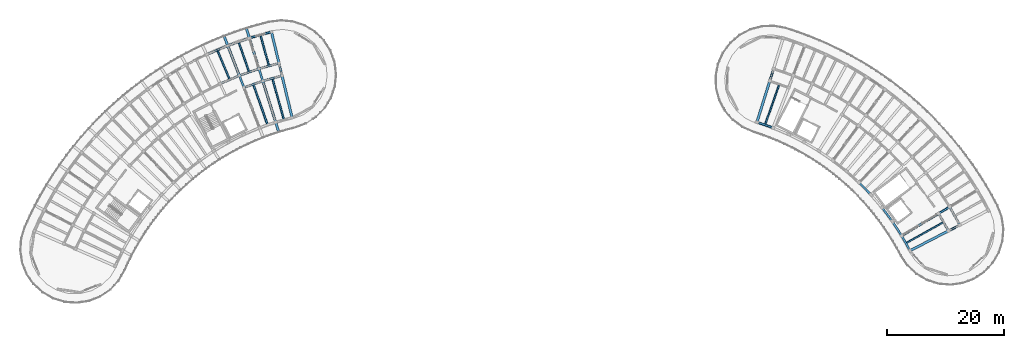
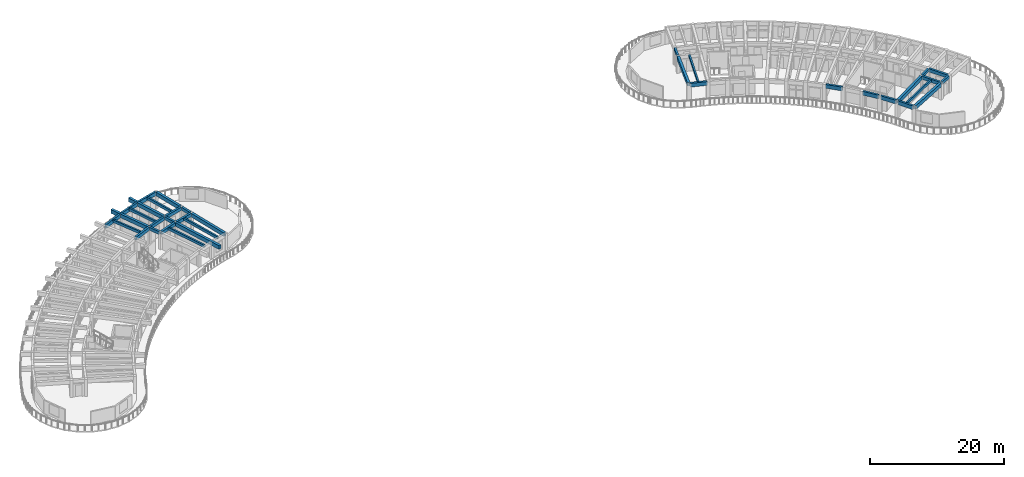
# One storey, part 8 of 32: 36 beams.
"""IFC4 building model written with IfcOpenShell, lengths in metres."""

from ifc_helpers import new_model, si_unit, direction, frame, origin, origin_2d, place, context, subcontext, project, spatial, rectangle, extrude, material, material_profile, profile_set, type_object, element, save


model = new_model("IFC4")

# Units and contexts
model_context = context("Model", 3, precision=1e-05, world=origin(), true_north=direction((0.0, 1.0)))
body_context = subcontext(model_context, "Body", "Model", "MODEL_VIEW")
ifc_project = project(units=[si_unit("LENGTHUNIT", "METRE"), si_unit("AREAUNIT", "SQUARE_METRE"), si_unit("VOLUMEUNIT", "CUBIC_METRE"), si_unit("PLANEANGLEUNIT", "RADIAN"), si_unit("MASSUNIT", "GRAM", prefix="KILO")], contexts=[model_context])

# Site, building, storey
site_placement = place(None, origin())
site = spatial("IfcSite", under=ifc_project, at=site_placement, CompositionType="ELEMENT")
building_placement = place(site_placement, origin())
building = spatial("IfcBuilding", under=site, at=building_placement, Name="Tanwirah Colonnade Gardens", CompositionType="ELEMENT")
storey_placement = place(building_placement, frame((0.0, 0.0, 42.43994140625)))
storey = spatial("IfcBuildingStorey", under=building, at=storey_placement, Name="L12", CompositionType="ELEMENT", Elevation=42.43994140625)

# Beams
ifc_material_1 = material(Name="Precast concrete C40/50", Category="concrete")
ifc_material_profile_1 = material_profile(ifc_material_1, rectangle(XDim=0.320068359375, YDim=0.52001953125, at=origin_2d()), Name="PC-BM 320x520")
ifc_profile_set_1 = profile_set([ifc_material_profile_1], Name="Precast concrete C40/50")
beam_type_1 = type_object("IfcBeamType", Name="BM-PC320", PredefinedType="BEAM", material=ifc_profile_set_1)
beam_1_placement = place(storey_placement, frame((167.194091796875, 84.07666015625, 2.840087890625), z_axis=(0.888385730697, 0.459097803844, 0.0), x_axis=(-0.459097803844, 0.888385730697, 0.0)))
element("IfcBeam", 1, at=beam_1_placement, inside=storey, type_object=beam_type_1, Name="Block B L12 Corridor Tie Beam 3", PredefinedType="BEAM", context=body_context, shape_type="SweptSolid", body=[
    extrude(rectangle(XDim=0.320068359375, YDim=0.52001953125, at=origin_2d()), origin(), (0.0, 0.0, 1.0), 1.900146484375),
])
for number, where, z_axis, x_axis, name in (
    (2, (165.520751953125, 87.068359375, 2.840087890625), (0.856174920318, 0.516686080534, 0.0), (-0.516686080534, 0.856174920318, 0.0), "Block B L12 Corridor Tie Beam 4"),
    (3, (136.492431640625, 109.838623046875, 2.840087890625), (0.297857918398, 0.954610213882, 0.0), (-0.954610213882, 0.297857918398, 0.0), "Block B L12 Corridor Tie Beam 15"),
):
    element("IfcBeam", number, at=place(storey_placement, frame(where, z_axis=z_axis, x_axis=x_axis)), inside=storey, type_object=beam_type_1, Name=name, PredefinedType="BEAM", context=body_context, shape_type="SweptSolid", body=[
        extrude(rectangle(XDim=0.320068359375, YDim=0.52001953125, at=origin_2d()), origin(), (0.0, 0.0, 1.0), 1.89990234375),
    ])
ifc_material_profile_2 = material_profile(ifc_material_1, rectangle(XDim=0.35009765625, YDim=0.550048828125, at=origin_2d()), Name="PC-BM 350x550")
ifc_profile_set_2 = profile_set([ifc_material_profile_2], Name="Precast concrete C40/50")
beam_type_2 = type_object("IfcBeamType", Name="BM-PC350A", PredefinedType="BEAM", material=ifc_profile_set_2)
beam_2_placement = place(storey_placement, frame((52.811767578125, 110.75146484375, 2.844970703125), z_axis=(-0.234364199778, 0.972148868159, 0.0), x_axis=(-0.972148868159, -0.234364199778, 0.0)))
element("IfcBeam", 4, at=beam_2_placement, inside=storey, type_object=beam_type_2, Name="Block A L12 Corridor Tie Beam 2", PredefinedType="BEAM", context=body_context, shape_type="SweptSolid", body=[
    extrude(rectangle(XDim=0.35009765625, YDim=0.550048828125, at=origin_2d()), origin(), (0.0, 0.0, 1.0), 1.900146484375),
])
for number, where, z_axis, x_axis, name in (
    (5, (49.507568359375, 109.838623046875, 2.844970703125), (-0.297857918398, 0.954610213882, 0.0), (-0.954610213882, -0.297857918398, 0.0), "Block A L12 Corridor Tie Beam 3"),
    (6, (46.270751953125, 108.7099609375, 2.844970703125), (-0.360175656082, 0.932884503444, 0.0), (-0.932884503444, -0.360175656082, 0.0), "Block A L12 Corridor Tie Beam 4"),
):
    element("IfcBeam", number, at=place(storey_placement, frame(where, z_axis=z_axis, x_axis=x_axis)), inside=storey, type_object=beam_type_2, Name=name, PredefinedType="BEAM", context=body_context, shape_type="SweptSolid", body=[
        extrude(rectangle(XDim=0.35009765625, YDim=0.550048828125, at=origin_2d()), origin(), (0.0, 0.0, 1.0), 1.89990234375),
    ])
ifc_material_profile_3 = material_profile(ifc_material_1, rectangle(XDim=0.35009765625, YDim=0.60009765625, at=origin_2d()), Name="PC-BM 350x600")
ifc_profile_set_3 = profile_set([ifc_material_profile_3], Name="Precast concrete C40/50")
beam_type_3 = type_object("IfcBeamType", Name="BM-PC350B", PredefinedType="BEAM", material=ifc_profile_set_3)
beam_3_placement = place(storey_placement, frame((52.702392578125, 110.565673828125, 2.820068359375), z_axis=(-0.963894965188, -0.266282737114, 0.0), x_axis=(0.266282737114, -0.963894965188, 0.0)))
element("IfcBeam", 7, at=beam_3_placement, inside=storey, type_object=beam_type_3, Name="Block A L12 Circumferential Beam 2-R1", PredefinedType="BEAM", context=body_context, shape_type="SweptSolid", body=[
    extrude(rectangle(XDim=0.35009765625, YDim=0.60009765625, at=origin_2d()), origin(), (0.0, 0.0, 1.0), 3.1181640625),
])
beam_4_placement = place(storey_placement, frame((52.186767578125, 112.704345703125, 2.820068359375), z_axis=(-0.9638953302, -0.266281415833, 0.0), x_axis=(0.266281415833, -0.9638953302, 0.0)))
element("IfcBeam", 8, at=beam_4_placement, inside=storey, type_object=beam_type_3, Name="Block A L12 Circumferential Beam 2-R2", PredefinedType="BEAM", context=body_context, shape_type="SweptSolid", body=[
    extrude(rectangle(XDim=0.35009765625, YDim=0.60009765625, at=origin_2d()), origin(), (0.0, 0.0, 1.0), 3.26318359375),
])
beam_5_placement = place(storey_placement, frame((49.41064453125, 109.64599609375, 2.820068359375), z_axis=(-0.944248304077, -0.329234172358, 0.0), x_axis=(0.329234172358, -0.944248304077, 0.0)))
element("IfcBeam", 9, at=beam_5_placement, inside=storey, type_object=beam_type_3, Name="Block A L12 Circumferential Beam 3-R1", PredefinedType="BEAM", context=body_context, shape_type="SweptSolid", body=[
    extrude(rectangle(XDim=0.35009765625, YDim=0.60009765625, at=origin_2d()), origin(), (0.0, 0.0, 1.0), 3.1181640625),
])
for number, where, z_axis, x_axis, name in (
    (10, (48.755126953125, 111.74609375, 2.820068359375), (-0.944231021702, -0.329283734272, 0.0), (0.329283734272, -0.944231021702, 0.0), "Block A L12 Circumferential Beam 3-R2"),
    (11, (45.394287109375, 110.563720703125, 2.820068359375), (-0.920513294115, -0.390711242938, 0.0), (0.390711242938, -0.920513294115, 0.0), "Block A L12 Circumferential Beam 4-R2"),
):
    element("IfcBeam", number, at=place(storey_placement, frame(where, z_axis=z_axis, x_axis=x_axis)), inside=storey, type_object=beam_type_3, Name=name, PredefinedType="BEAM", context=body_context, shape_type="SweptSolid", body=[
        extrude(rectangle(XDim=0.35009765625, YDim=0.60009765625, at=origin_2d()), origin(), (0.0, 0.0, 1.0), 3.262939453125),
    ])
beam_6_placement = place(storey_placement, frame((166.98779296875, 84.138671875, 2.800048828125), z_axis=(-0.488200372352, 0.872731571811, 0.0), x_axis=(-0.872731571811, -0.488200372352, 0.0)))
element("IfcBeam", 12, at=beam_6_placement, inside=storey, type_object=beam_type_3, Name="Block B L12 Circumferential Beam 3-R1", PredefinedType="BEAM", context=body_context, shape_type="SweptSolid", body=[
    extrude(rectangle(XDim=0.35009765625, YDim=0.60009765625, at=origin_2d()), origin(), (0.0, 0.0, 1.0), 3.117919921875),
])
beam_7_placement = place(storey_placement, frame((168.942138671875, 85.14892578125, 2.800048828125), z_axis=(-0.488213717102, 0.87272410671, 0.0), x_axis=(-0.87272410671, -0.488213717102, 0.0)))
element("IfcBeam", 13, at=beam_7_placement, inside=storey, type_object=beam_type_3, Name="Block B L12 Circumferential Beam 3-R2", PredefinedType="BEAM", context=body_context, shape_type="SweptSolid", body=[
    extrude(rectangle(XDim=0.35009765625, YDim=0.60009765625, at=origin_2d()), origin(), (0.0, 0.0, 1.0), 3.262939453125),
])
ifc_material_2 = material(Name="Precast concrete C45/55", Category="concrete")
ifc_material_profile_4 = material_profile(ifc_material_2, rectangle(XDim=0.419921875, YDim=0.679931640625, at=origin_2d()), Name="PC-BM 420x680")
ifc_profile_set_4 = profile_set([ifc_material_profile_4], Name="Precast concrete C45/55")
beam_type_4 = type_object("IfcBeamType", Name="BM-PC420", PredefinedType="BEAM", material=ifc_profile_set_4)
beam_8_placement = place(storey_placement, frame((52.882080078125, 110.459716796875, 2.780029296875), z_axis=(0.23441195378, -0.972137354454, 0.0), x_axis=(0.972137354454, 0.23441195378, 0.0)))
element("IfcBeam", 14, at=beam_8_placement, inside=storey, type_object=beam_type_4, Name="Block A L12 Inner Radial Precast Girder 2", PredefinedType="BEAM", context=body_context, shape_type="SweptSolid", body=[
    extrude(rectangle(XDim=0.419921875, YDim=0.679931640625, at=origin_2d()), origin(), (0.0, 0.0, 1.0), 7.099853515625),
])
beam_9_placement = place(storey_placement, frame((52.296142578125, 112.89013671875, 2.780029296875), z_axis=(-0.234374333708, 0.97214642503, 0.0), x_axis=(-0.97214642503, -0.234374333708, 0.0)))
element("IfcBeam", 15, at=beam_9_placement, inside=storey, type_object=beam_type_4, Name="Block A L12 Outer Radial Precast Girder 2", PredefinedType="BEAM", context=body_context, shape_type="SweptSolid", body=[
    extrude(rectangle(XDim=0.419921875, YDim=0.679931640625, at=origin_2d()), origin(), (0.0, 0.0, 1.0), 5.199951171875),
])
beam_10_placement = place(storey_placement, frame((49.596923828125, 109.55224609375, 2.780029296875), z_axis=(0.29792861283, -0.9545881529, 0.0), x_axis=(0.9545881529, 0.29792861283, 0.0)))
element("IfcBeam", 16, at=beam_10_placement, inside=storey, type_object=beam_type_4, Name="Block A L12 Inner Radial Precast Girder 3", PredefinedType="BEAM", context=body_context, shape_type="SweptSolid", body=[
    extrude(rectangle(XDim=0.419921875, YDim=0.679931640625, at=origin_2d()), origin(), (0.0, 0.0, 1.0), 8.9501953125),
])
for number, where, z_axis, x_axis, name in (
    (17, (48.852294921875, 111.938720703125, 2.780029296875), (-0.297957513373, 0.954579132511, 0.0), (-0.954579132511, -0.297957513373, 0.0), "Block A L12 Outer Radial Precast Girder 3"),
    (18, (45.478271484375, 110.76220703125, 2.780029296875), (-0.360150678391, 0.932894146651, 0.0), (-0.932894146651, -0.360150678391, 0.0), "Block A L12 Outer Radial Precast Girder 4"),
):
    element("IfcBeam", number, at=place(storey_placement, frame(where, z_axis=z_axis, x_axis=x_axis)), inside=storey, type_object=beam_type_4, Name=name, PredefinedType="BEAM", context=body_context, shape_type="SweptSolid", body=[
        extrude(rectangle(XDim=0.419921875, YDim=0.679931640625, at=origin_2d()), origin(), (0.0, 0.0, 1.0), 7.050048828125),
    ])
for number, where, z_axis, x_axis, name in (
    (19, (166.927734375, 83.93896484375, 2.760009765625), (-0.888342925962, -0.459180624475, 0.0), (0.459180624475, -0.888342925962, 0.0), "Block B L12 Inner Radial Precast Girder 3"),
    (20, (165.263916015625, 86.913330078125, 2.760009765625), (-0.856176383701, -0.516683655628, 0.0), (0.516683655628, -0.856176383701, 0.0), "Block B L12 Inner Radial Precast Girder 4"),
    (21, (136.403076171875, 109.55224609375, 2.760009765625), (-0.297951921971, -0.954580877765, 0.0), (0.954580877765, -0.297951921971, 0.0), "Block B L12 Inner Radial Precast Girder 15"),
):
    element("IfcBeam", number, at=place(storey_placement, frame(where, z_axis=z_axis, x_axis=x_axis)), inside=storey, type_object=beam_type_4, Name=name, PredefinedType="BEAM", context=body_context, shape_type="SweptSolid", body=[
        extrude(rectangle(XDim=0.419921875, YDim=0.679931640625, at=origin_2d()), origin(), (0.0, 0.0, 1.0), 7.10009765625),
    ])
ifc_material_profile_5 = material_profile(ifc_material_1, rectangle(XDim=0.260009765625, YDim=0.4599609375, at=origin_2d()), Name="PC-JST 260x460")
ifc_profile_set_5 = profile_set([ifc_material_profile_5], Name="Precast concrete C40/50")
beam_type_5 = type_object("IfcBeamType", Name="JST-PC260", PredefinedType="JOIST", material=ifc_profile_set_5)
beam_11_placement = place(storey_placement, frame((159.897705078125, 81.958984375, 2.8701171875), z_axis=(0.872726875563, 0.488208767506, 0.0), x_axis=(-0.488208767506, 0.872726875563, 0.0)))
element("IfcBeam", 22, at=beam_11_placement, inside=storey, type_object=beam_type_5, Name="Block B L12 Inner Precast Floor Joist 3", PredefinedType="JOIST", context=body_context, shape_type="SweptSolid", body=[
    extrude(rectangle(XDim=0.260009765625, YDim=0.4599609375, at=origin_2d()), origin(), (0.0, 0.0, 1.0), 7.16015625),
])
beam_12_placement = place(storey_placement, frame((135.673828125, 102.28515625, 2.8701171875), z_axis=(0.329250558112, 0.944242590642, 0.0), x_axis=(-0.944242590642, 0.329250558112, 0.0)))
element("IfcBeam", 23, at=beam_12_placement, inside=storey, type_object=beam_type_5, Name="Block B L12 Inner Precast Floor Joist 14", PredefinedType="JOIST", context=body_context, shape_type="SweptSolid", body=[
    extrude(rectangle(XDim=0.260009765625, YDim=0.4599609375, at=origin_2d()), origin(), (0.0, 0.0, 1.0), 7.159912109375),
])
ifc_material_profile_6 = material_profile(ifc_material_1, rectangle(XDim=0.280029296875, YDim=0.47998046875, at=origin_2d()), Name="PC-JST 280x480")
ifc_profile_set_6 = profile_set([ifc_material_profile_6], Name="Precast concrete C40/50")
beam_type_6 = type_object("IfcBeamType", Name="JST-PC280", PredefinedType="JOIST", material=ifc_profile_set_6)
beam_13_placement = place(storey_placement, frame((50.57421875, 112.413818359375, 2.880126953125), z_axis=(-0.266281476085, 0.963895313555, 0.0), x_axis=(-0.963895313555, -0.266281476085, 0.0)))
element("IfcBeam", 24, at=beam_13_placement, inside=storey, type_object=beam_type_6, Name="Block A L12 Precast Floor Joist 2", PredefinedType="JOIST", context=body_context, shape_type="SweptSolid", body=[
    extrude(rectangle(XDim=0.280029296875, YDim=0.47998046875, at=origin_2d()), origin(), (0.0, 0.0, 1.0), 5.260009765625),
])
beam_14_placement = place(storey_placement, frame((53.130859375, 103.16064453125, 2.880126953125), z_axis=(-0.266307034535, 0.963888252526, 0.0), x_axis=(-0.963888252526, -0.266307034535, 0.0)))
element("IfcBeam", 25, at=beam_14_placement, inside=storey, type_object=beam_type_6, Name="Block A L12 Inner Precast Floor Joist 2", PredefinedType="JOIST", context=body_context, shape_type="SweptSolid", body=[
    extrude(rectangle(XDim=0.280029296875, YDim=0.47998046875, at=origin_2d()), origin(), (0.0, 0.0, 1.0), 7.159912109375),
])
beam_15_placement = place(storey_placement, frame((47.16552734375, 111.349853515625, 2.880126953125), z_axis=(-0.3292586038, 0.944239785131, 0.0), x_axis=(-0.944239785131, -0.3292586038, 0.0)))
element("IfcBeam", 26, at=beam_15_placement, inside=storey, type_object=beam_type_6, Name="Block A L12 Precast Floor Joist 3", PredefinedType="JOIST", context=body_context, shape_type="SweptSolid", body=[
    extrude(rectangle(XDim=0.280029296875, YDim=0.47998046875, at=origin_2d()), origin(), (0.0, 0.0, 1.0), 5.260009765625),
])
beam_16_placement = place(storey_placement, frame((50.326171875, 102.28515625, 2.880126953125), z_axis=(-0.329250558112, 0.944242590642, 0.0), x_axis=(-0.944242590642, -0.329250558112, 0.0)))
element("IfcBeam", 27, at=beam_16_placement, inside=storey, type_object=beam_type_6, Name="Block A L12 Inner Precast Floor Joist 3", PredefinedType="JOIST", context=body_context, shape_type="SweptSolid", body=[
    extrude(rectangle(XDim=0.280029296875, YDim=0.47998046875, at=origin_2d()), origin(), (0.0, 0.0, 1.0), 7.159912109375),
])
beam_17_placement = place(storey_placement, frame((43.833984375, 110.063720703125, 2.880126953125), z_axis=(-0.390723870106, 0.92050793442, 0.0), x_axis=(-0.92050793442, -0.390723870106, 0.0)))
element("IfcBeam", 28, at=beam_17_placement, inside=storey, type_object=beam_type_6, Name="Block A L12 Precast Floor Joist 4", PredefinedType="JOIST", context=body_context, shape_type="SweptSolid", body=[
    extrude(rectangle(XDim=0.280029296875, YDim=0.47998046875, at=origin_2d()), origin(), (0.0, 0.0, 1.0), 5.260009765625),
])
ifc_material_profile_7 = material_profile(ifc_material_1, rectangle(XDim=0.3349609375, YDim=0.695068359375, at=origin_2d()), Name="PC-SP 335x695")
ifc_profile_set_7 = profile_set([ifc_material_profile_7], Name="Precast concrete C40/50")
beam_type_7 = type_object("IfcBeamType", Name="SP-PC300", PredefinedType="SPANDREL", material=ifc_profile_set_7)
beam_18_placement = place(storey_placement, frame((160.413818359375, 80.740966796875, 2.75244140625), z_axis=(-0.488170837957, 0.872748092503, 0.0), x_axis=(-0.872748092503, -0.488170837957, 0.0)))
element("IfcBeam", 29, at=beam_18_placement, inside=storey, type_object=beam_type_7, Name="Block B L12 Circumferential Beam 3-R0", PredefinedType="SPANDREL", context=body_context, shape_type="SweptSolid", body=[
    extrude(rectangle(XDim=0.3349609375, YDim=0.695068359375, at=origin_2d()), origin(), (0.0, 0.0, 1.0), 2.630126953125),
])
for number, where, z_axis, x_axis, name in (
    (30, (158.974853515625, 83.29296875, 2.75244140625), (-0.544570677829, 0.838714955661, 0.0), (-0.838714955661, -0.544570677829, 0.0), "Block B L12 Circumferential Beam 4-R0"),
    (31, (157.370849609375, 85.744873046875, 2.75244140625), (-0.598662613551, 0.80100129534, 0.0), (-0.80100129534, -0.598662613551, 0.0), "Block B L12 Circumferential Beam 5-R0"),
):
    element("IfcBeam", number, at=place(storey_placement, frame(where, z_axis=z_axis, x_axis=x_axis)), inside=storey, type_object=beam_type_7, Name=name, PredefinedType="SPANDREL", context=body_context, shape_type="SweptSolid", body=[
        extrude(rectangle(XDim=0.3349609375, YDim=0.695068359375, at=origin_2d()), origin(), (0.0, 0.0, 1.0), 2.63037109375),
    ])
beam_19_placement = place(storey_placement, frame((153.6962890625, 90.305419921875, 2.75244140625), z_axis=(-0.698844462704, 0.715273665772, 0.0), x_axis=(-0.715273665772, -0.698844462704, 0.0)))
element("IfcBeam", 32, at=beam_19_placement, inside=storey, type_object=beam_type_7, Name="Block B L12 Circumferential Beam 7-R0", PredefinedType="SPANDREL", context=body_context, shape_type="SweptSolid", body=[
    extrude(rectangle(XDim=0.3349609375, YDim=0.695068359375, at=origin_2d()), origin(), (0.0, 0.0, 1.0), 2.630126953125),
])
beam_20_placement = place(storey_placement, frame((136.8681640625, 101.716064453125, 2.75244140625), z_axis=(-0.944249847334, 0.32922974624, 0.0), x_axis=(-0.32922974624, -0.944249847334, 0.0)))
element("IfcBeam", 33, at=beam_20_placement, inside=storey, type_object=beam_type_7, Name="Block B L12 Circumferential Beam 14-R0", PredefinedType="SPANDREL", context=body_context, shape_type="SweptSolid", body=[
    extrude(rectangle(XDim=0.3349609375, YDim=0.695068359375, at=origin_2d()), origin(), (0.0, 0.0, 1.0), 2.63037109375),
])
ifc_material_profile_8 = material_profile(ifc_material_2, rectangle(XDim=0.320068359375, YDim=0.679931640625, at=origin_2d()), Name="PC-SP 320x680")
ifc_profile_set_8 = profile_set([ifc_material_profile_8], Name="Precast concrete C45/55")
beam_type_8 = type_object("IfcBeamType", Name="SP-PC320", PredefinedType="SPANDREL", material=ifc_profile_set_8)
for number, where, z_axis, x_axis, name in (
    (34, (50.897705078125, 118.05126953125, 2.780029296875), (-0.963888380927, -0.266306569792, 0.0), (0.266306569792, -0.963888380927, 0.0), "Block A L12 Circumferential Beam 2-R3"),
    (35, (47.11669921875, 116.996337890625, 2.780029296875), (-0.944236700093, -0.329267450863, 0.0), (0.329267450863, -0.944236700093, 0.0), "Block A L12 Circumferential Beam 3-R3"),
    (36, (43.413330078125, 115.694580078125, 2.780029296875), (-0.920494456807, -0.390755620545, 0.0), (0.390755620545, -0.920494456807, 0.0), "Block A L12 Circumferential Beam 4-R3"),
):
    element("IfcBeam", number, at=place(storey_placement, frame(where, z_axis=z_axis, x_axis=x_axis)), inside=storey, type_object=beam_type_8, Name=name, PredefinedType="SPANDREL", context=body_context, shape_type="SweptSolid", body=[
        extrude(rectangle(XDim=0.320068359375, YDim=0.679931640625, at=origin_2d()), origin(), (0.0, 0.0, 1.0), 3.625732421875),
    ])

save(model, "model.ifc")
